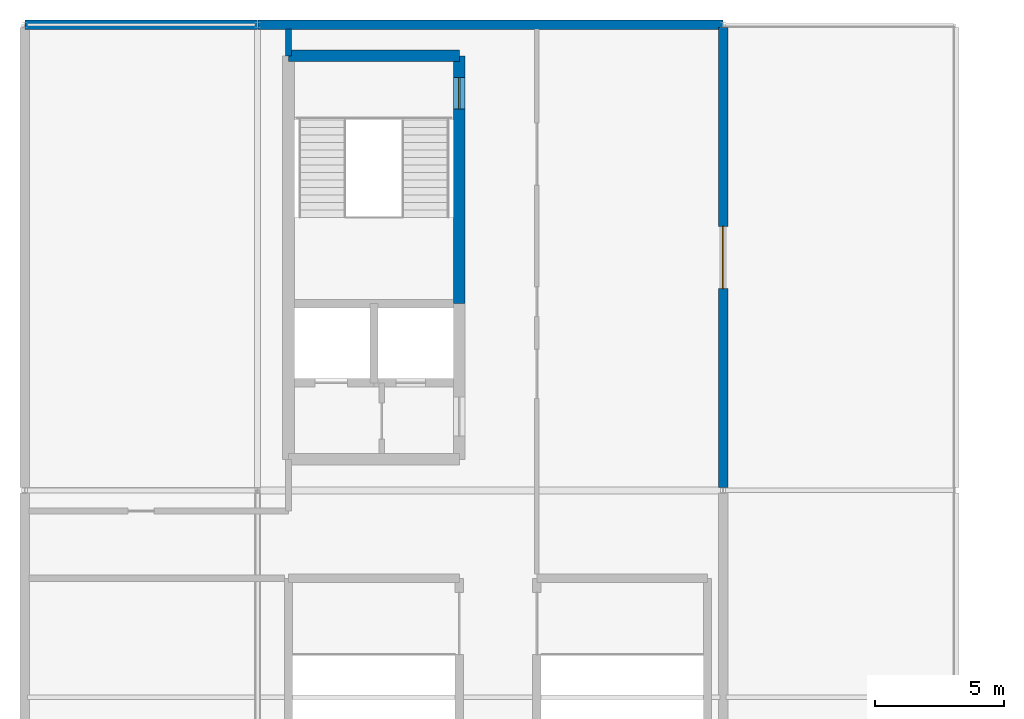
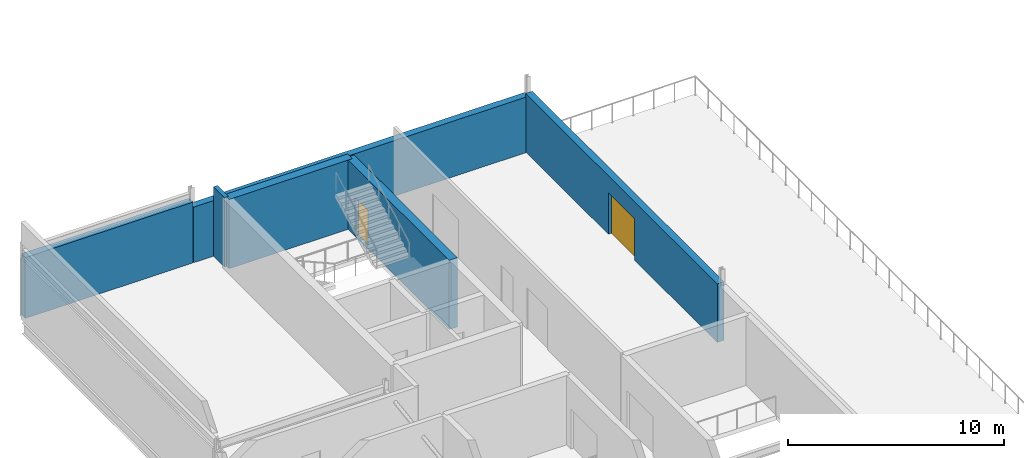
# One storey, part 16 of 23: 6 walls, 2 doors, 2 openings.
"""IFC4 building model written with IfcOpenShell, lengths in metres."""

from ifc_helpers import new_model, si_unit, direction, frame, frame_2d, origin, place, context, subcontext, project, spatial, rectangle, extrude, material, layer, layer_set, type_object, element, fill, save


model = new_model("IFC4")

# Units and contexts
model_context = context("Model", 3, precision=1e-05, world=origin(), true_north=direction((0.0, 1.0)))
body_context = subcontext(model_context, "Body", "Model", "MODEL_VIEW")
ifc_project = project(units=[si_unit("LENGTHUNIT", "METRE"), si_unit("AREAUNIT", "SQUARE_METRE"), si_unit("VOLUMEUNIT", "CUBIC_METRE"), si_unit("PLANEANGLEUNIT", "RADIAN"), si_unit("MASSUNIT", "GRAM", prefix="KILO")], contexts=[model_context])

# Site, building, storey
site_placement = place(None, origin())
site = spatial("IfcSite", under=ifc_project, at=site_placement, CompositionType="ELEMENT")
building_placement = place(site_placement, origin())
building = spatial("IfcBuilding", under=site, at=building_placement, Name="Kisiwana Market Hall", CompositionType="ELEMENT")
storey_placement = place(building_placement, frame((0.0, 0.0, 65.699951171875)))
storey = spatial("IfcBuildingStorey", under=building, at=storey_placement, Name="L15", CompositionType="ELEMENT", Elevation=65.699951171875)

# Wall
ifc_material_1 = material(Name="Concrete C40/50", Category="concrete")
ifc_layer_1 = layer(ifc_material_1, 0.449951171875, Name="Reinforced concrete core wall")
ifc_layer_set_1 = layer_set([ifc_layer_1], Name="WL-CORE-450")
wall_type_1 = type_object("IfcWallType", Name="WL-CORE-450", PredefinedType="SHEAR", material=ifc_layer_set_1)
wall_1_placement = place(storey_placement, frame((10.199951171875, 100.800048828125, 0.0), z_axis=(0.0, 0.0, 1.0), x_axis=(1.0, 0.0, 0.0)))
element("IfcWall", 1, at=wall_1_placement, inside=storey, type_object=wall_type_1, Name="Core W1 north shear wall W-3359", PredefinedType="SHEAR", context=body_context, shape_type="SweptSolid", body=[
    extrude(rectangle(XDim=6.60009765625, YDim=0.449951171875, at=frame_2d((3.300048828125, 0.0))), origin(), (0.0, 0.0, 1.0), 3.920166015625),
])

# Wall, opening, door
wall_2_placement = place(storey_placement, frame((16.800048828125, 91.215087890625, 0.0), z_axis=(0.0, 0.0, 1.0), x_axis=(0.0, 1.0, 0.0)))
wall_2 = element("IfcWall", 2, at=wall_2_placement, inside=storey, type_object=wall_type_1, Name="Core W1 stair corridor shear wall W-3362", PredefinedType="SHEAR", context=body_context, shape_type="SweptSolid", body=[
    extrude(rectangle(XDim=9.5849609375, YDim=0.449951171875, at=frame_2d((4.79248046875, 0.0))), origin(), (0.0, 0.0, 1.0), 3.920166015625),
])
opening_1_placement = place(wall_2_placement, frame((7.534912109375, 0.0, 0.0)))
opening_1 = element("IfcOpeningElement", 3, at=opening_1_placement, cuts=wall_2, Name="Opening DR-L15-005", PredefinedType="OPENING", context=body_context, shape_type="SweptSolid", body=[
    extrude(rectangle(XDim=1.199951171875, YDim=2.199951171875, at=frame_2d((0.60009765625, 1.10009765625))), frame((0.0, 0.23681640625, 0.0), z_axis=(0.0, -1.0, 0.0), x_axis=(1.0, 0.0, 0.0)), (0.0, 0.0, 1.0), 0.473876953125),
])
ifc_material_2 = material(Name="Steel S275", Category="steel")
door_type_1 = type_object("IfcDoorType", Name="DR-STAIR-FD120-1200", OperationType="NOTDEFINED", PredefinedType="DOOR", material=ifc_material_2)
door_1_placement = place(opening_1_placement, origin())
door_1 = element("IfcDoor", 4, at=door_1_placement, inside=storey, type_object=door_type_1, Name="Escape Stair W1 Fire Door (L15)", OperationType="SINGLE_SWING_RIGHT", OverallHeight=2.199951171875, OverallWidth=1.199951171875, PredefinedType="DOOR", context=body_context, shape_type="SweptSolid", body=[
    extrude(rectangle(XDim=1.199951171875, YDim=2.199951171875, at=frame_2d((0.60009765625, 1.10009765625))), frame((0.0, 0.02490234375, 0.0), z_axis=(0.0, -1.0, 0.0), x_axis=(1.0, 0.0, 0.0)), (0.0, 0.0, 1.0), 0.050048828125),
])
fill(opening_1, door_1)

# Walls
ifc_material_3 = material(Name="Concrete C40/50 precast", Category="concrete")
ifc_layer_2 = layer(ifc_material_3, 0.364990234375)
ifc_layer_set_2 = layer_set([ifc_layer_2], Name="WL-EXT-365")
wall_type_2 = type_object("IfcWallType", Name="WL-EXT-365", PredefinedType="STANDARD", material=ifc_layer_set_2)
wall_3_placement = place(storey_placement, frame((0.010009765625, 102.0, 0.0), z_axis=(0.0, 0.0, 1.0), x_axis=(1.0, 0.0, 0.0)))
element("IfcWall", 5, at=wall_3_placement, inside=storey, type_object=wall_type_2, Name="Exterior wall W-3437", PredefinedType="STANDARD", context=body_context, shape_type="SweptSolid", body=[
    extrude(rectangle(XDim=8.97998046875, YDim=0.364990234375, at=frame_2d((4.489990234375, 0.0))), origin(), (0.0, 0.0, 1.0), 3.447998046875),
])
wall_4_placement = place(storey_placement, frame((9.010009765625, 102.0, 0.0), z_axis=(0.0, 0.0, 1.0), x_axis=(1.0, 0.0, 0.0)))
element("IfcWall", 6, at=wall_4_placement, inside=storey, type_object=wall_type_2, Name="Exterior wall W-3438", PredefinedType="STANDARD", context=body_context, shape_type="SweptSolid", body=[
    extrude(rectangle(XDim=17.97998046875, YDim=0.364990234375, at=frame_2d((8.989990234375, 0.0))), origin(), (0.0, 0.0, 1.0), 3.145751953125),
])

# Wall, opening, door
wall_5_placement = place(storey_placement, frame((27.0, 84.107666015625, 0.0), z_axis=(0.0, 0.0, 1.0), x_axis=(0.0, 1.0, 0.0)))
wall_5 = element("IfcWall", 7, at=wall_5_placement, inside=storey, type_object=wall_type_2, Name="Exterior wall W-3448", PredefinedType="STANDARD", context=body_context, shape_type="SweptSolid", body=[
    extrude(rectangle(XDim=17.78466796875, YDim=0.364990234375, at=frame_2d((8.892333984375, 0.0))), origin(), (0.0, 0.0, 1.0), 3.307861328125),
])
opening_2_placement = place(wall_5_placement, frame((7.6923828125, 0.0, 0.0)))
opening_2 = element("IfcOpeningElement", 8, at=opening_2_placement, cuts=wall_5, Name="Opening DR-L15-1003", PredefinedType="OPENING", context=body_context, shape_type="SweptSolid", body=[
    extrude(rectangle(XDim=2.39990234375, YDim=2.35009765625, at=frame_2d((1.199951171875, 1.175048828125))), frame((0.0, 0.1943359375, 0.0), z_axis=(0.0, -1.0, 0.0), x_axis=(1.0, 0.0, 0.0)), (0.0, 0.0, 1.0), 0.388916015625),
])
ifc_material_4 = material(Name="Aluminium alloy 6063-T6", Category="aluminium")
door_type_2 = type_object("IfcDoorType", Name="DR-EXT-TERR-2400", OperationType="DOUBLE_DOOR_SINGLE_SWING", PredefinedType="DOOR", material=ifc_material_4)
door_2_placement = place(opening_2_placement, origin())
door_2 = element("IfcDoor", 9, at=door_2_placement, inside=storey, type_object=door_type_2, Name="Exterior terrace access door DR-L15-1003", OperationType="DOUBLE_DOOR_SINGLE_SWING", OverallHeight=2.35009765625, OverallWidth=2.39990234375, PredefinedType="DOOR", context=body_context, shape_type="SweptSolid", body=[
    extrude(rectangle(XDim=2.39990234375, YDim=2.35009765625, at=frame_2d((1.199951171875, 1.175048828125))), frame((0.0, 0.02490234375, 0.0), z_axis=(0.0, -1.0, 0.0), x_axis=(1.0, 0.0, 0.0)), (0.0, 0.0, 1.0), 0.050048828125),
])
fill(opening_2, door_2)

# Wall
ifc_material_5 = material(Name="Concrete C32/40", Category="concrete")
ifc_layer_3 = layer(ifc_material_5, 0.235107421875)
ifc_layer_set_3 = layer_set([ifc_layer_3], Name="WL-PART-235")
wall_type_3 = type_object("IfcWallType", Name="WL-PART-235", PredefinedType="PARTITIONING", material=ifc_layer_set_3)
wall_6_placement = place(storey_placement, frame((10.199951171875, 100.800048828125, 0.0), z_axis=(0.0, 0.0, 1.0), x_axis=(0.0, 1.0, 0.0)))
element("IfcWall", 10, at=wall_6_placement, inside=storey, type_object=wall_type_3, Name="Interior partition W-3468", PredefinedType="PARTITIONING", context=body_context, shape_type="SweptSolid", body=[
    extrude(rectangle(XDim=1.030029296875, YDim=0.235107421875, at=frame_2d((0.51513671875, 0.0))), origin(), (0.0, 0.0, 1.0), 3.920166015625),
])

save(model, "model.ifc")
